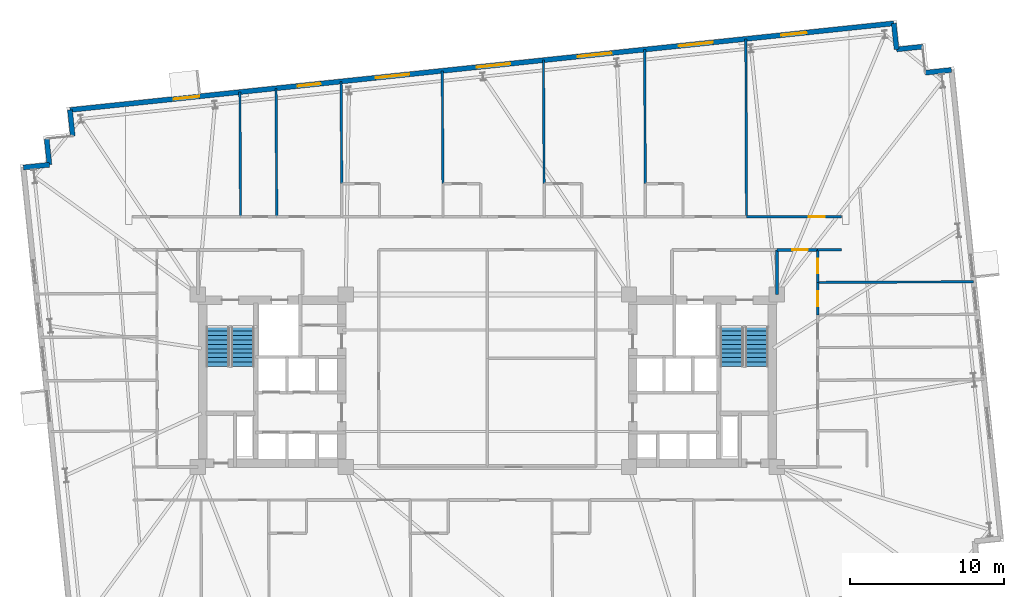
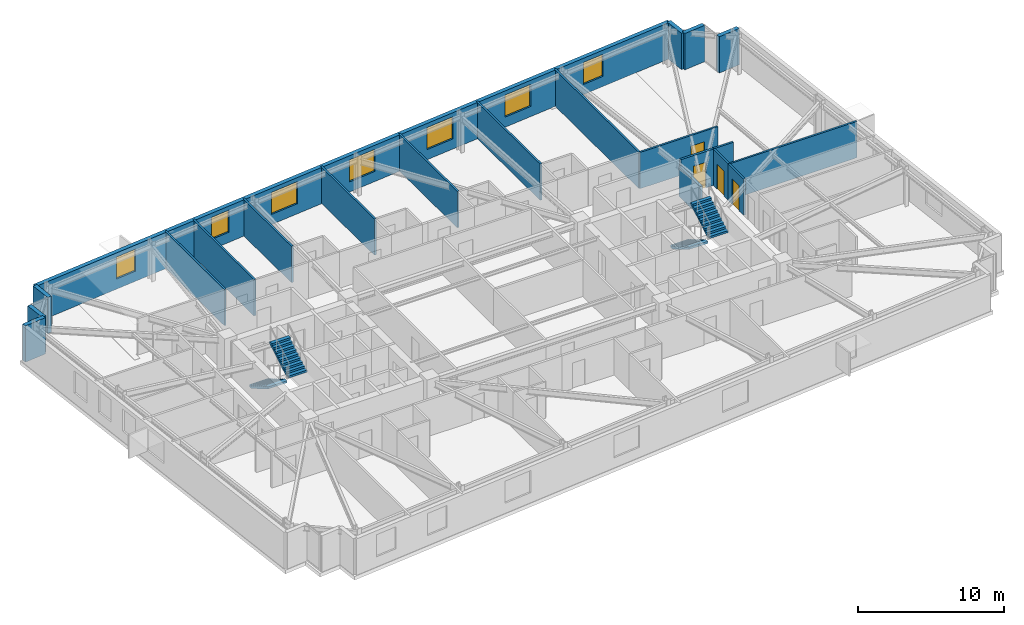
# One storey, part 16 of 19: 21 walls, 7 windows, 4 doors, 4 stair flights, 11 openings, 2 elements without a shape of their own.
"""IFC4 building model written with IfcOpenShell, lengths in metres."""

from ifc_helpers import new_model, si_unit, direction, frame, frame_2d, origin, place, context, subcontext, project, spatial, polyline, rectangle, outline, extrude, material, layer, layer_set, type_object, element, fill, aggregate, save


model = new_model("IFC4")

# Units and contexts
model_context = context("Model", 3, precision=1e-05, world=origin(), true_north=direction((0.0, 1.0)))
body_context = subcontext(model_context, "Body", "Model", "MODEL_VIEW")
ifc_project = project(units=[si_unit("LENGTHUNIT", "METRE"), si_unit("AREAUNIT", "SQUARE_METRE"), si_unit("VOLUMEUNIT", "CUBIC_METRE"), si_unit("PLANEANGLEUNIT", "RADIAN"), si_unit("MASSUNIT", "GRAM", prefix="KILO")], contexts=[model_context])

# Site, building, storey
site_placement = place(None, origin())
site = spatial("IfcSite", under=ifc_project, at=site_placement, CompositionType="ELEMENT")
building_placement = place(site_placement, origin())
building = spatial("IfcBuilding", under=site, at=building_placement, Name="Qobustan Lattice House", CompositionType="ELEMENT")
storey_placement = place(building_placement, frame((0.0, 0.0, 82.35009765625)))
storey = spatial("IfcBuildingStorey", under=building, at=storey_placement, Name="L22", CompositionType="ELEMENT", Elevation=82.35009765625)

# Walls
ifc_material_1 = material(Name="Precast concrete C40/50", Category="concrete")
ifc_layer_1 = layer(ifc_material_1, 0.320068359375)
ifc_layer_set_1 = layer_set([ifc_layer_1], Name="Precast concrete C40/50")
wall_type_1 = type_object("IfcWallType", Name="WAL-EXT-STONE-320", PredefinedType="SOLIDWALL", material=ifc_layer_set_1)
for number, where, z_axis, x_axis, name in (
    (1, (-30.13330078125, 13.84912109375, 0.0), (0.0, 0.0, 1.0), (0.994534530939, 0.104408173862, 0.0), "L22 exterior limestone-clad wall 6"),
    (2, (-28.442626953125, 14.026611328125, 0.0), (0.0, 0.0, 1.0), (-0.104550220202, 0.994519608382, 0.0), "L22 exterior limestone-clad wall 7"),
    (3, (-26.9296875, 15.89501953125, 0.0), (0.0, 0.0, 1.0), (-0.104550220202, 0.994519608382, 0.0), "L22 exterior limestone-clad wall 9"),
):
    element("IfcWall", number, at=place(storey_placement, frame(where, z_axis=z_axis, x_axis=x_axis)), inside=storey, type_object=wall_type_1, Name=name, PredefinedType="SOLIDWALL", context=body_context, shape_type="SweptSolid", body=[
        extrude(rectangle(XDim=1.699951171875, YDim=0.320068359375, at=frame_2d((0.85009765625, 0.0))), origin(), (0.0, 0.0, 1.0), 3.044921875),
    ])

# Wall, openings, windows
wall_1_placement = place(storey_placement, frame((-27.107421875, 17.585693359375, 0.0), z_axis=(0.0, 0.0, 1.0), x_axis=(0.994521628355, 0.104531003701, 0.0)))
wall_1 = element("IfcWall", 4, at=wall_1_placement, inside=storey, type_object=wall_type_1, Name="L22 exterior limestone-clad wall 10", PredefinedType="SOLIDWALL", context=body_context, shape_type="SweptSolid", body=[
    extrude(rectangle(XDim=53.800048828125, YDim=0.320068359375, at=frame_2d((26.89990234375, 0.0))), origin(), (0.0, 0.0, 1.0), 3.044921875),
])
opening_1_placement = place(wall_1_placement, frame((6.78076171875, 0.0, 0.85009765625)))
opening_1 = element("IfcOpeningElement", 5, at=opening_1_placement, cuts=wall_1, Name="Opening WN-09", PredefinedType="OPENING", context=body_context, shape_type="SweptSolid", body=[
    extrude(rectangle(XDim=1.64990234375, YDim=1.85009765625, at=frame_2d((0.824951171875, 0.925048828125))), frame((0.0, 0.169921875, 0.0), z_axis=(0.0, -1.0, 0.0), x_axis=(1.0, 0.0, 0.0)), (0.0, 0.0, 1.0), 0.340087890625),
])
opening_2_placement = place(wall_1_placement, frame((14.861572265625, 0.0, 0.85009765625)))
opening_2 = element("IfcOpeningElement", 6, at=opening_2_placement, cuts=wall_1, Name="Opening WN-01", PredefinedType="OPENING", context=body_context, shape_type="SweptSolid", body=[
    extrude(rectangle(XDim=1.5, YDim=1.85009765625, at=frame_2d((0.75, 0.925048828125))), frame((0.0, 0.169921875, 0.0), z_axis=(0.0, -1.0, 0.0), x_axis=(1.0, 0.0, 0.0)), (0.0, 0.0, 1.0), 0.340087890625),
])
opening_3_placement = place(wall_1_placement, frame((19.955810546875, 0.0, 0.85009765625)))
opening_3 = element("IfcOpeningElement", 7, at=opening_3_placement, cuts=wall_1, Name="Opening WN-03", PredefinedType="OPENING", context=body_context, shape_type="SweptSolid", body=[
    extrude(rectangle(XDim=2.199951171875, YDim=1.85009765625, at=frame_2d((1.10009765625, 0.925048828125))), frame((0.0, 0.169921875, 0.0), z_axis=(0.0, -1.0, 0.0), x_axis=(1.0, 0.0, 0.0)), (0.0, 0.0, 1.0), 0.340087890625),
])
opening_4_placement = place(wall_1_placement, frame((26.560546875, 0.0, 0.85009765625)))
opening_4 = element("IfcOpeningElement", 8, at=opening_4_placement, cuts=wall_1, Name="Opening WN-03", PredefinedType="OPENING", context=body_context, shape_type="SweptSolid", body=[
    extrude(rectangle(XDim=2.199951171875, YDim=1.85009765625, at=frame_2d((1.10009765625, 0.925048828125))), frame((0.0, 0.169921875, 0.0), z_axis=(0.0, -1.0, 0.0), x_axis=(1.0, 0.0, 0.0)), (0.0, 0.0, 1.0), 0.340087890625),
])
opening_5_placement = place(wall_1_placement, frame((33.16552734375, 0.0, 0.85009765625)))
opening_5 = element("IfcOpeningElement", 9, at=opening_5_placement, cuts=wall_1, Name="Opening WN-03", PredefinedType="OPENING", context=body_context, shape_type="SweptSolid", body=[
    extrude(rectangle(XDim=2.199951171875, YDim=1.85009765625, at=frame_2d((1.10009765625, 0.925048828125))), frame((0.0, 0.169921875, 0.0), z_axis=(0.0, -1.0, 0.0), x_axis=(1.0, 0.0, 0.0)), (0.0, 0.0, 1.0), 0.340087890625),
])
opening_6_placement = place(wall_1_placement, frame((39.7705078125, 0.0, 0.85009765625)))
opening_6 = element("IfcOpeningElement", 10, at=opening_6_placement, cuts=wall_1, Name="Opening WN-03", PredefinedType="OPENING", context=body_context, shape_type="SweptSolid", body=[
    extrude(rectangle(XDim=2.199951171875, YDim=1.85009765625, at=frame_2d((1.10009765625, 0.925048828125))), frame((0.0, 0.169921875, 0.0), z_axis=(0.0, -1.0, 0.0), x_axis=(1.0, 0.0, 0.0)), (0.0, 0.0, 1.0), 0.340087890625),
])
opening_7_placement = place(wall_1_placement, frame((46.4501953125, 0.0, 0.85009765625)))
opening_7 = element("IfcOpeningElement", 11, at=opening_7_placement, cuts=wall_1, Name="Opening WN-09", PredefinedType="OPENING", context=body_context, shape_type="SweptSolid", body=[
    extrude(rectangle(XDim=1.64990234375, YDim=1.85009765625, at=frame_2d((0.824951171875, 0.925048828125))), frame((0.0, 0.169921875, 0.0), z_axis=(0.0, -1.0, 0.0), x_axis=(1.0, 0.0, 0.0)), (0.0, 0.0, 1.0), 0.340087890625),
])
ifc_material_2 = material(Name="Double-glazed low-E aluminium window", Category="aluminium")
window_type_1 = type_object("IfcWindowType", Name="WIN-BED-1500x1850", PartitioningType="SINGLE_PANEL", PredefinedType="WINDOW", material=ifc_material_2)
window_1_placement = place(opening_2_placement, origin())
window_1 = element("IfcWindow", 12, at=window_1_placement, inside=storey, type_object=window_type_1, Name="L22 Laundry utility room window", OverallHeight=1.85009765625, OverallWidth=1.5, PartitioningType="SINGLE_PANEL", PredefinedType="WINDOW", context=body_context, shape_type="SweptSolid", body=[
    extrude(rectangle(XDim=1.5, YDim=1.85009765625, at=frame_2d((0.75, 0.925048828125))), frame((0.0, 0.030029296875, 0.0), z_axis=(0.0, -1.0, 0.0), x_axis=(1.0, 0.0, 0.0)), (0.0, 0.0, 1.0), 0.06005859375),
])
fill(opening_2, window_1)
ifc_material_3 = material(Name="Double-glazed low-E aluminium window", Category="aluminium")
window_type_2 = type_object("IfcWindowType", Name="WIN-STU-1650x1850", PartitioningType="SINGLE_PANEL", PredefinedType="WINDOW", material=ifc_material_3)
window_2_placement = place(opening_1_placement, origin())
window_2 = element("IfcWindow", 13, at=window_2_placement, inside=storey, type_object=window_type_2, Name="L22 Focus study room N1 window", OverallHeight=1.85009765625, OverallWidth=1.64990234375, PartitioningType="SINGLE_PANEL", PredefinedType="WINDOW", context=body_context, shape_type="SweptSolid", body=[
    extrude(rectangle(XDim=1.64990234375, YDim=1.85009765625, at=frame_2d((0.824951171875, 0.925048828125))), frame((0.0, 0.030029296875, 0.0), z_axis=(0.0, -1.0, 0.0), x_axis=(1.0, 0.0, 0.0)), (0.0, 0.0, 1.0), 0.06005859375),
])
fill(opening_1, window_2)
window_3_placement = place(opening_7_placement, origin())
window_3 = element("IfcWindow", 14, at=window_3_placement, inside=storey, type_object=window_type_2, Name="L22 Focus study room N7 window", OverallHeight=1.85009765625, OverallWidth=1.64990234375, PartitioningType="SINGLE_PANEL", PredefinedType="WINDOW", context=body_context, shape_type="SweptSolid", body=[
    extrude(rectangle(XDim=1.64990234375, YDim=1.85009765625, at=frame_2d((0.824951171875, 0.925048828125))), frame((0.0, 0.030029296875, 0.0), z_axis=(0.0, -1.0, 0.0), x_axis=(1.0, 0.0, 0.0)), (0.0, 0.0, 1.0), 0.06005859375),
])
fill(opening_7, window_3)
ifc_material_4 = material(Name="Double-glazed low-E aluminium window", Category="aluminium")
window_type_3 = type_object("IfcWindowType", Name="WIN-WIDE-2200x1850", PartitioningType="SINGLE_PANEL", PredefinedType="WINDOW", material=ifc_material_4)
window_4_placement = place(opening_3_placement, origin())
window_4 = element("IfcWindow", 15, at=window_4_placement, inside=storey, type_object=window_type_3, Name="L22 Kitchenette and studio apartment L22-N3 window", OverallHeight=1.85009765625, OverallWidth=2.199951171875, PartitioningType="SINGLE_PANEL", PredefinedType="WINDOW", context=body_context, shape_type="SweptSolid", body=[
    extrude(rectangle(XDim=2.199951171875, YDim=1.85009765625, at=frame_2d((1.10009765625, 0.925048828125))), frame((0.0, 0.030029296875, 0.0), z_axis=(0.0, -1.0, 0.0), x_axis=(1.0, 0.0, 0.0)), (0.0, 0.0, 1.0), 0.06005859375),
])
fill(opening_3, window_4)
window_5_placement = place(opening_4_placement, origin())
window_5 = element("IfcWindow", 16, at=window_5_placement, inside=storey, type_object=window_type_3, Name="L22 Kitchenette and studio apartment L22-N4 window", OverallHeight=1.85009765625, OverallWidth=2.199951171875, PartitioningType="SINGLE_PANEL", PredefinedType="WINDOW", context=body_context, shape_type="SweptSolid", body=[
    extrude(rectangle(XDim=2.199951171875, YDim=1.85009765625, at=frame_2d((1.10009765625, 0.925048828125))), frame((0.0, 0.030029296875, 0.0), z_axis=(0.0, -1.0, 0.0), x_axis=(1.0, 0.0, 0.0)), (0.0, 0.0, 1.0), 0.06005859375),
])
fill(opening_4, window_5)
window_6_placement = place(opening_5_placement, origin())
window_6 = element("IfcWindow", 17, at=window_6_placement, inside=storey, type_object=window_type_3, Name="L22 Kitchenette and studio apartment L22-N5 window", OverallHeight=1.85009765625, OverallWidth=2.199951171875, PartitioningType="SINGLE_PANEL", PredefinedType="WINDOW", context=body_context, shape_type="SweptSolid", body=[
    extrude(rectangle(XDim=2.199951171875, YDim=1.85009765625, at=frame_2d((1.10009765625, 0.925048828125))), frame((0.0, 0.030029296875, 0.0), z_axis=(0.0, -1.0, 0.0), x_axis=(1.0, 0.0, 0.0)), (0.0, 0.0, 1.0), 0.06005859375),
])
fill(opening_5, window_6)
window_7_placement = place(opening_6_placement, origin())
window_7 = element("IfcWindow", 18, at=window_7_placement, inside=storey, type_object=window_type_3, Name="L22 Kitchenette and studio apartment L22-N6 window", OverallHeight=1.85009765625, OverallWidth=2.199951171875, PartitioningType="SINGLE_PANEL", PredefinedType="WINDOW", context=body_context, shape_type="SweptSolid", body=[
    extrude(rectangle(XDim=2.199951171875, YDim=1.85009765625, at=frame_2d((1.10009765625, 0.925048828125))), frame((0.0, 0.030029296875, 0.0), z_axis=(0.0, -1.0, 0.0), x_axis=(1.0, 0.0, 0.0)), (0.0, 0.0, 1.0), 0.06005859375),
])
fill(opening_6, window_7)

# Walls
for number, where, z_axis, x_axis, name in (
    (19, (26.39794921875, 23.20947265625, 0.0), (0.0, 0.0, 1.0), (0.104550220202, -0.994519608382, 0.0), "L22 exterior limestone-clad wall 11"),
    (20, (26.57568359375, 21.518798828125, 0.0), (0.0, 0.0, 1.0), (0.994534530939, 0.104408173862, 0.0), "L22 exterior limestone-clad wall 12"),
    (21, (28.444091796875, 20.005615234375, 0.0), (0.0, 0.0, 1.0), (0.994519608382, 0.104550220202, 0.0), "L22 exterior limestone-clad wall 14"),
):
    element("IfcWall", number, at=place(storey_placement, frame(where, z_axis=z_axis, x_axis=x_axis)), inside=storey, type_object=wall_type_1, Name=name, PredefinedType="SOLIDWALL", context=body_context, shape_type="SweptSolid", body=[
        extrude(rectangle(XDim=1.699951171875, YDim=0.320068359375, at=frame_2d((0.85009765625, 0.0))), origin(), (0.0, 0.0, 1.0), 3.044921875),
    ])

# Wall, opening, door
ifc_material_5 = material(Name="Gypsum fireboard acoustic partition", Category="gypsum")
ifc_layer_2 = layer(ifc_material_5, 0.179931640625)
ifc_layer_set_2 = layer_set([ifc_layer_2], Name="Gypsum fireboard acoustic partition")
wall_type_2 = type_object("IfcWallType", Name="WAL-FIRE-180", PredefinedType="PARTITIONING", material=ifc_layer_set_2)
wall_2_placement = place(storey_placement, frame((21.449951171875, 8.5, 0.0), z_axis=(0.0, 0.0, 1.0), x_axis=(-1.0, 0.0, 0.0)))
wall_2 = element("IfcWall", 22, at=wall_2_placement, inside=storey, type_object=wall_type_2, Name="L22 interior partition 47", PredefinedType="PARTITIONING", context=body_context, shape_type="SweptSolid", body=[
    extrude(rectangle(XDim=2.64990234375, YDim=0.179931640625, at=frame_2d((1.324951171875, 0.0))), origin(), (0.0, 0.0, 1.0), 3.044921875),
])
opening_8_placement = place(wall_2_placement, frame((0.64111328125, 0.0, 0.0)))
opening_8 = element("IfcOpeningElement", 23, at=opening_8_placement, cuts=wall_2, Name="Opening FD-02", PredefinedType="OPENING", context=body_context, shape_type="SweptSolid", body=[
    extrude(rectangle(XDim=1.0, YDim=2.14990234375, at=frame_2d((0.5, 1.074951171875))), frame((0.0, 0.099853515625, 0.0), z_axis=(0.0, -1.0, 0.0), x_axis=(1.0, 0.0, 0.0)), (0.0, 0.0, 1.0), 0.199951171875),
])
ifc_material_6 = material(Name="Persian walnut timber and steel frame door", Category="steel")
door_type_1 = type_object("IfcDoorType", Name="DOR-UNIT-FD-1000x2150", OperationType="NOTDEFINED", PredefinedType="DOOR", material=ifc_material_6)
door_1_placement = place(opening_8_placement, origin())
door_1 = element("IfcDoor", 24, at=door_1_placement, inside=storey, type_object=door_type_1, Name="L22 North-east floor corridor to Residence entrance hall L22E door", OperationType="SINGLE_SWING_LEFT", OverallHeight=2.14990234375, OverallWidth=1.0, PredefinedType="DOOR", context=body_context, shape_type="SweptSolid", body=[
    extrude(rectangle(XDim=1.0, YDim=2.14990234375, at=frame_2d((0.5, 1.074951171875))), frame((0.0, 0.02490234375, 0.0), z_axis=(0.0, -1.0, 0.0), x_axis=(1.0, 0.0, 0.0)), (0.0, 0.0, 1.0), 0.050048828125),
])
fill(opening_8, door_1)

# Wall
ifc_material_7 = material(Name="Acoustic twin-stud gypsum partition", Category="gypsum")
ifc_layer_3 = layer(ifc_material_7, 0.14990234375)
ifc_layer_set_3 = layer_set([ifc_layer_3], Name="Acoustic twin-stud gypsum partition")
wall_type_3 = type_object("IfcWallType", Name="WAL-PART-150", PredefinedType="PARTITIONING", material=ifc_layer_set_3)
wall_3_placement = place(storey_placement, frame((23.0, 8.5, 0.0), z_axis=(0.0, 0.0, 1.0), x_axis=(-1.0, 0.0, 0.0)))
element("IfcWall", 25, at=wall_3_placement, inside=storey, type_object=wall_type_3, Name="L22 interior partition 48", PredefinedType="PARTITIONING", context=body_context, shape_type="SweptSolid", body=[
    extrude(rectangle(XDim=1.550048828125, YDim=0.14990234375, at=frame_2d((0.77490234375, 0.0))), origin(), (0.0, 0.0, 1.0), 3.044921875),
])

# Wall, opening, door
wall_4_placement = place(storey_placement, frame((16.8291015625, 10.64990234375, 0.0), z_axis=(0.0, 0.0, 1.0), x_axis=(1.0, 0.0, 0.0)))
wall_4 = element("IfcWall", 26, at=wall_4_placement, inside=storey, type_object=wall_type_3, Name="L22 interior partition 54", PredefinedType="PARTITIONING", context=body_context, shape_type="SweptSolid", body=[
    extrude(rectangle(XDim=6.1708984375, YDim=0.14990234375, at=frame_2d((3.08544921875, 0.0))), origin(), (0.0, 0.0, 1.0), 3.044921875),
])
opening_9_placement = place(wall_4_placement, frame((4.0458984375, 0.0, 0.0)))
opening_9 = element("IfcOpeningElement", 27, at=opening_9_placement, cuts=wall_4, Name="Opening ID-02", PredefinedType="OPENING", context=body_context, shape_type="SweptSolid", body=[
    extrude(rectangle(XDim=1.050048828125, YDim=2.14990234375, at=frame_2d((0.52490234375, 1.074951171875))), frame((0.0, 0.0849609375, 0.0), z_axis=(0.0, -1.0, 0.0), x_axis=(1.0, 0.0, 0.0)), (0.0, 0.0, 1.0), 0.169921875),
])
ifc_material_8 = material(Name="Persian walnut timber and steel frame door", Category="steel")
door_type_2 = type_object("IfcDoorType", Name="DOR-STUDY-1050x2150", OperationType="NOTDEFINED", PredefinedType="DOOR", material=ifc_material_8)
door_2_placement = place(opening_9_placement, origin())
door_2 = element("IfcDoor", 28, at=door_2_placement, inside=storey, type_object=door_type_2, Name="L22 North-east floor corridor to Focus study room N7 door", OperationType="SINGLE_SWING_LEFT", OverallHeight=2.14990234375, OverallWidth=1.050048828125, PredefinedType="DOOR", context=body_context, shape_type="SweptSolid", body=[
    extrude(rectangle(XDim=1.050048828125, YDim=2.14990234375, at=frame_2d((0.52490234375, 1.074951171875))), frame((0.0, 0.02490234375, 0.0), z_axis=(0.0, -1.0, 0.0), x_axis=(1.0, 0.0, 0.0)), (0.0, 0.0, 1.0), 0.050048828125),
])
fill(opening_9, door_2)

wall_5_placement = place(storey_placement, frame((21.449951171875, 6.385009765625, 0.0), z_axis=(0.0, 0.0, 1.0), x_axis=(0.0, -1.0, 0.0)))
wall_5 = element("IfcWall", 29, at=wall_5_placement, inside=storey, type_object=wall_type_3, Name="L22 interior partition 88", PredefinedType="PARTITIONING", context=body_context, shape_type="SweptSolid", body=[
    extrude(rectangle(XDim=2.114990234375, YDim=0.14990234375, at=frame_2d((1.0576171875, 0.0))), origin(), (0.0, 0.0, 1.0), 3.044921875),
])
opening_10_placement = place(wall_5_placement, frame((0.58251953125, 0.0, 0.0)))
opening_10 = element("IfcOpeningElement", 30, at=opening_10_placement, cuts=wall_5, Name="Opening ID-01", PredefinedType="OPENING", context=body_context, shape_type="SweptSolid", body=[
    extrude(rectangle(XDim=0.949951171875, YDim=2.10009765625, at=frame_2d((0.47509765625, 1.050048828125))), frame((0.0, 0.0849609375, 0.0), z_axis=(0.0, -1.0, 0.0), x_axis=(1.0, 0.0, 0.0)), (0.0, 0.0, 1.0), 0.169921875),
])
ifc_material_9 = material(Name="Persian walnut timber and steel frame door", Category="steel")
door_type_3 = type_object("IfcDoorType", Name="DOR-ROOM-950x2100", OperationType="NOTDEFINED", PredefinedType="DOOR", material=ifc_material_9)
door_3_placement = place(opening_10_placement, origin())
door_3 = element("IfcDoor", 31, at=door_3_placement, inside=storey, type_object=door_type_3, Name="L22 Residence entrance hall L22E to Cluster bedroom L22E3 door", OperationType="SINGLE_SWING_RIGHT", OverallHeight=2.10009765625, OverallWidth=0.949951171875, PredefinedType="DOOR", context=body_context, shape_type="SweptSolid", body=[
    extrude(rectangle(XDim=0.949951171875, YDim=2.10009765625, at=frame_2d((0.47509765625, 1.050048828125))), frame((0.0, 0.02490234375, 0.0), z_axis=(0.0, -1.0, 0.0), x_axis=(1.0, 0.0, 0.0)), (0.0, 0.0, 1.0), 0.050048828125),
])
fill(opening_10, door_3)

wall_6_placement = place(storey_placement, frame((21.449951171875, 8.5, 0.0), z_axis=(0.0, 0.0, 1.0), x_axis=(0.0, -1.0, 0.0)))
wall_6 = element("IfcWall", 32, at=wall_6_placement, inside=storey, type_object=wall_type_3, Name="L22 interior partition 89", PredefinedType="PARTITIONING", context=body_context, shape_type="SweptSolid", body=[
    extrude(rectangle(XDim=2.114990234375, YDim=0.14990234375, at=frame_2d((1.0576171875, 0.0))), origin(), (0.0, 0.0, 1.0), 3.044921875),
])
opening_11_placement = place(wall_6_placement, frame((0.58251953125, 0.0, 0.0)))
opening_11 = element("IfcOpeningElement", 33, at=opening_11_placement, cuts=wall_6, Name="Opening ID-01", PredefinedType="OPENING", context=body_context, shape_type="SweptSolid", body=[
    extrude(rectangle(XDim=0.949951171875, YDim=2.10009765625, at=frame_2d((0.47509765625, 1.050048828125))), frame((0.0, 0.0849609375, 0.0), z_axis=(0.0, -1.0, 0.0), x_axis=(1.0, 0.0, 0.0)), (0.0, 0.0, 1.0), 0.169921875),
])
door_4_placement = place(opening_11_placement, origin())
door_4 = element("IfcDoor", 34, at=door_4_placement, inside=storey, type_object=door_type_3, Name="L22 Residence entrance hall L22E to Cluster bedroom L22E4 door", OperationType="SINGLE_SWING_LEFT", OverallHeight=2.10009765625, OverallWidth=0.949951171875, PredefinedType="DOOR", context=body_context, shape_type="SweptSolid", body=[
    extrude(rectangle(XDim=0.949951171875, YDim=2.10009765625, at=frame_2d((0.47509765625, 1.050048828125))), frame((0.0, 0.02490234375, 0.0), z_axis=(0.0, -1.0, 0.0), x_axis=(1.0, 0.0, 0.0)), (0.0, 0.0, 1.0), 0.050048828125),
])
fill(opening_11, door_4)

# Walls
wall_7_placement = place(storey_placement, frame((21.449951171875, 6.385009765625, 0.0), z_axis=(0.0, 0.0, 1.0), x_axis=(0.999990591112, 0.004337935759, 0.0)))
element("IfcWall", 35, at=wall_7_placement, inside=storey, type_object=wall_type_3, Name="L22 interior partition 95", PredefinedType="PARTITIONING", context=body_context, shape_type="SweptSolid", body=[
    extrude(rectangle(XDim=10.13037109375, YDim=0.14990234375, at=frame_2d((5.065185546875, 0.0))), origin(), (0.0, 0.0, 1.0), 3.044921875),
])
wall_8_placement = place(storey_placement, frame((-9.5009765625, 19.436279296875, 0.0), z_axis=(0.0, 0.0, 1.0), x_axis=(0.006621884097, -0.999978075085, 0.0)))
element("IfcWall", 36, at=wall_8_placement, inside=storey, type_object=wall_type_3, Name="L22 interior partition 98", PredefinedType="PARTITIONING", context=body_context, shape_type="SweptSolid", body=[
    extrude(rectangle(XDim=6.636474609375, YDim=0.14990234375, at=frame_2d((3.318359375, 0.0))), origin(), (0.0, 0.0, 1.0), 3.044921875),
])
wall_9_placement = place(storey_placement, frame((-2.929931640625, 20.126953125, 0.0), z_axis=(0.0, 0.0, 1.0), x_axis=(0.005997692928, -0.999982013678, 0.0)))
element("IfcWall", 37, at=wall_9_placement, inside=storey, type_object=wall_type_3, Name="L22 interior partition 102", PredefinedType="PARTITIONING", context=body_context, shape_type="SweptSolid", body=[
    extrude(rectangle(XDim=7.3271484375, YDim=0.14990234375, at=frame_2d((3.66357421875, 0.0))), origin(), (0.0, 0.0, 1.0), 3.044921875),
])
wall_10_placement = place(storey_placement, frame((3.64208984375, 20.817626953125, 0.0), z_axis=(0.0, 0.0, 1.0), x_axis=(0.005481038253, -0.999984978997, 0.0)))
element("IfcWall", 38, at=wall_10_placement, inside=storey, type_object=wall_type_3, Name="L22 interior partition 106", PredefinedType="PARTITIONING", context=body_context, shape_type="SweptSolid", body=[
    extrude(rectangle(XDim=8.017578125, YDim=0.14990234375, at=frame_2d((4.0087890625, 0.0))), origin(), (0.0, 0.0, 1.0), 3.044921875),
])
wall_11_placement = place(storey_placement, frame((10.213134765625, 21.50830078125, 0.0), z_axis=(0.0, 0.0, 1.0), x_axis=(0.005046334579, -0.999987267173, 0.0)))
element("IfcWall", 39, at=wall_11_placement, inside=storey, type_object=wall_type_3, Name="L22 interior partition 110", PredefinedType="PARTITIONING", context=body_context, shape_type="SweptSolid", body=[
    extrude(rectangle(XDim=8.708251953125, YDim=0.14990234375, at=frame_2d((4.35400390625, 0.0))), origin(), (0.0, 0.0, 1.0), 3.044921875),
])
wall_12_placement = place(storey_placement, frame((16.78515625, 22.198974609375, 0.0), z_axis=(0.0, 0.0, 1.0), x_axis=(0.003805067053, -0.999992760706, 0.0)))
element("IfcWall", 40, at=wall_12_placement, inside=storey, type_object=wall_type_3, Name="L22 interior partition 114", PredefinedType="PARTITIONING", context=body_context, shape_type="SweptSolid", body=[
    extrude(rectangle(XDim=11.549072265625, YDim=0.14990234375, at=frame_2d((5.7744140625, 0.0))), origin(), (0.0, 0.0, 1.0), 3.044921875),
])
ifc_material_10 = material(Name="Two-hour gypsum fireboard acoustic partition", Category="gypsum")
ifc_layer_4 = layer(ifc_material_10, 0.199951171875)
ifc_layer_set_4 = layer_set([ifc_layer_4], Name="Two-hour gypsum fireboard acoustic partition")
wall_type_4 = type_object("IfcWallType", Name="WAL-PROT-200", PredefinedType="PARTITIONING", material=ifc_layer_set_4)
wall_13_placement = place(storey_placement, frame((18.800048828125, 5.60009765625, 0.0), z_axis=(0.0, 0.0, 1.0), x_axis=(0.0, 1.0, 0.0)))
element("IfcWall", 41, at=wall_13_placement, inside=storey, type_object=wall_type_4, Name="L22 interior partition 24", PredefinedType="PARTITIONING", context=body_context, shape_type="SweptSolid", body=[
    extrude(rectangle(XDim=2.89990234375, YDim=0.199951171875, at=frame_2d((1.449951171875, 0.0))), origin(), (0.0, 0.0, 1.0), 2.52978515625),
])
ifc_material_11 = material(Name="Moisture-resistant acoustic plumbing wall", Category="gypsum")
ifc_layer_5 = layer(ifc_material_11, 0.14990234375)
ifc_layer_set_5 = layer_set([ifc_layer_5], Name="Moisture-resistant acoustic plumbing wall")
wall_type_5 = type_object("IfcWallType", Name="WAL-WET-150", PredefinedType="PLUMBINGWALL", material=ifc_layer_set_5)
wall_14_placement = place(storey_placement, frame((-16.072998046875, 18.74560546875, 0.0), z_axis=(0.0, 0.0, 1.0), x_axis=(0.005428146808, -0.999985267503, 0.0)))
element("IfcWall", 42, at=wall_14_placement, inside=storey, type_object=wall_type_5, Name="L22 interior partition 96", PredefinedType="PLUMBINGWALL", context=body_context, shape_type="SweptSolid", body=[
    extrude(rectangle(XDim=8.095703125, YDim=0.14990234375, at=frame_2d((4.0478515625, 0.0))), origin(), (0.0, 0.0, 1.0), 3.044921875),
])
wall_15_placement = place(storey_placement, frame((-13.722900390625, 18.992431640625, 0.0), z_axis=(0.0, 0.0, 1.0), x_axis=(0.005267551513, -0.999986126354, 0.0)))
element("IfcWall", 43, at=wall_15_placement, inside=storey, type_object=wall_type_5, Name="L22 interior partition 97", PredefinedType="PLUMBINGWALL", context=body_context, shape_type="SweptSolid", body=[
    extrude(rectangle(XDim=8.342529296875, YDim=0.14990234375, at=frame_2d((4.17138671875, 0.0))), origin(), (0.0, 0.0, 1.0), 3.044921875),
])

# Stair, stair flights
ifc_material_12 = material(Name="Concrete C40/50", Category="concrete")
stair_type = type_object("IfcStairType", Name="STR-CORE-DOGLEG", PredefinedType="HALF_TURN_STAIR", material=ifc_material_12)
stair_1_placement = place(storey_placement, origin())
stair_1 = element("IfcStair", 44, at=stair_1_placement, inside=storey, type_object=stair_type, Name="L22 West protected exit stair ST-W1", PredefinedType="HALF_TURN_STAIR")
ifc_material_13 = material(Name="Concrete C40/50", Category="concrete")
stair_flight_type = type_object("IfcStairFlightType", Name="SFL-RC-1500", PredefinedType="STRAIGHT", material=ifc_material_13)
stair_flight_1_placement = place(storey_placement, frame((-17.5, 3.5, 0.0), z_axis=(0.0, 0.0, 1.0), x_axis=(0.0, -1.0, 0.0)))
stair_flight_1 = element("IfcStairFlight", 45, at=stair_flight_1_placement, type_object=stair_flight_type, Name="ST-W1 flight 1", NumberOfRisers=10, NumberOfTreads=9, PredefinedType="STRAIGHT", RiserHeight=0.1675, TreadLength=0.285, context=body_context, shape_type="SweptSolid", body=[
    extrude(outline(polyline([(0.0, 0.0), (0.0, 0.16748046875), (0.284912109375, 0.16748046875), (0.284912109375, 0.3349609375), (0.570068359375, 0.3349609375), (0.570068359375, 0.50244140625), (0.85498046875, 0.50244140625), (0.85498046875, 0.669921875), (1.139892578125, 0.669921875), (1.139892578125, 0.83740234375), (1.425048828125, 0.83740234375), (1.425048828125, 1.0048828125), (1.7099609375, 1.0048828125), (1.7099609375, 1.172607421875), (1.9951171875, 1.172607421875), (1.9951171875, 1.340087890625), (2.280029296875, 1.340087890625), (2.280029296875, 1.507568359375), (2.56494140625, 1.507568359375), (2.56494140625, 1.675048828125), (2.56494140625, 1.333740234375), (0.2958984375, 0.0), (0.0, 0.0)])), frame((0.0, 0.75, 0.0), z_axis=(0.0, -1.0, 0.0), x_axis=(1.0, 0.0, 0.0)), (0.0, 0.0, 1.0), 1.5),
])
stair_flight_2_placement = place(storey_placement, frame((-15.8798828125, 0.93505859375, 1.6748046875), z_axis=(0.0, 0.0, 1.0), x_axis=(0.0, 1.0, 0.0)))
stair_flight_2 = element("IfcStairFlight", 46, at=stair_flight_2_placement, type_object=stair_flight_type, Name="ST-W1 flight 2", NumberOfRisers=10, NumberOfTreads=9, PredefinedType="STRAIGHT", RiserHeight=0.1675, TreadLength=0.285, context=body_context, shape_type="SweptSolid", body=[
    extrude(outline(polyline([(0.0, 0.0), (0.0, 0.16748046875), (0.284912109375, 0.16748046875), (0.284912109375, 0.3349609375), (0.570068359375, 0.3349609375), (0.570068359375, 0.50244140625), (0.85498046875, 0.50244140625), (0.85498046875, 0.669921875), (1.139892578125, 0.669921875), (1.139892578125, 0.83740234375), (1.425048828125, 0.83740234375), (1.425048828125, 1.0048828125), (1.7099609375, 1.0048828125), (1.7099609375, 1.172607421875), (1.9951171875, 1.172607421875), (1.9951171875, 1.340087890625), (2.280029296875, 1.340087890625), (2.280029296875, 1.507568359375), (2.56494140625, 1.507568359375), (2.56494140625, 1.675048828125), (2.56494140625, 1.333740234375), (0.2958984375, 0.0), (0.0, 0.0)])), frame((0.0, 0.75, 0.0), z_axis=(0.0, -1.0, 0.0), x_axis=(1.0, 0.0, 0.0)), (0.0, 0.0, 1.0), 1.5),
])
aggregate(stair_1, [stair_flight_1, stair_flight_2])

stair_2_placement = place(storey_placement, origin())
stair_2 = element("IfcStair", 47, at=stair_2_placement, inside=storey, type_object=stair_type, Name="L22 East protected exit stair ST-E1", PredefinedType="HALF_TURN_STAIR")
stair_flight_3_placement = place(storey_placement, frame((15.8798828125, 3.5, 0.0), z_axis=(0.0, 0.0, 1.0), x_axis=(0.0, -1.0, 0.0)))
stair_flight_3 = element("IfcStairFlight", 48, at=stair_flight_3_placement, type_object=stair_flight_type, Name="ST-E1 flight 1", NumberOfRisers=10, NumberOfTreads=9, PredefinedType="STRAIGHT", RiserHeight=0.1675, TreadLength=0.285, context=body_context, shape_type="SweptSolid", body=[
    extrude(outline(polyline([(0.0, 0.0), (0.0, 0.16748046875), (0.284912109375, 0.16748046875), (0.284912109375, 0.3349609375), (0.570068359375, 0.3349609375), (0.570068359375, 0.50244140625), (0.85498046875, 0.50244140625), (0.85498046875, 0.669921875), (1.139892578125, 0.669921875), (1.139892578125, 0.83740234375), (1.425048828125, 0.83740234375), (1.425048828125, 1.0048828125), (1.7099609375, 1.0048828125), (1.7099609375, 1.172607421875), (1.9951171875, 1.172607421875), (1.9951171875, 1.340087890625), (2.280029296875, 1.340087890625), (2.280029296875, 1.507568359375), (2.56494140625, 1.507568359375), (2.56494140625, 1.675048828125), (2.56494140625, 1.333740234375), (0.2958984375, 0.0), (0.0, 0.0)])), frame((0.0, 0.75, 0.0), z_axis=(0.0, -1.0, 0.0), x_axis=(1.0, 0.0, 0.0)), (0.0, 0.0, 1.0), 1.5),
])
stair_flight_4_placement = place(storey_placement, frame((17.5, 0.93505859375, 1.6748046875), z_axis=(0.0, 0.0, 1.0), x_axis=(0.0, 1.0, 0.0)))
stair_flight_4 = element("IfcStairFlight", 49, at=stair_flight_4_placement, type_object=stair_flight_type, Name="ST-E1 flight 2", NumberOfRisers=10, NumberOfTreads=9, PredefinedType="STRAIGHT", RiserHeight=0.1675, TreadLength=0.285, context=body_context, shape_type="SweptSolid", body=[
    extrude(outline(polyline([(0.0, 0.0), (0.0, 0.16748046875), (0.284912109375, 0.16748046875), (0.284912109375, 0.3349609375), (0.570068359375, 0.3349609375), (0.570068359375, 0.50244140625), (0.85498046875, 0.50244140625), (0.85498046875, 0.669921875), (1.139892578125, 0.669921875), (1.139892578125, 0.83740234375), (1.425048828125, 0.83740234375), (1.425048828125, 1.0048828125), (1.7099609375, 1.0048828125), (1.7099609375, 1.172607421875), (1.9951171875, 1.172607421875), (1.9951171875, 1.340087890625), (2.280029296875, 1.340087890625), (2.280029296875, 1.507568359375), (2.56494140625, 1.507568359375), (2.56494140625, 1.675048828125), (2.56494140625, 1.333740234375), (0.2958984375, 0.0), (0.0, 0.0)])), frame((0.0, 0.75, 0.0), z_axis=(0.0, -1.0, 0.0), x_axis=(1.0, 0.0, 0.0)), (0.0, 0.0, 1.0), 1.5),
])
aggregate(stair_2, [stair_flight_3, stair_flight_4])

save(model, "model.ifc")
